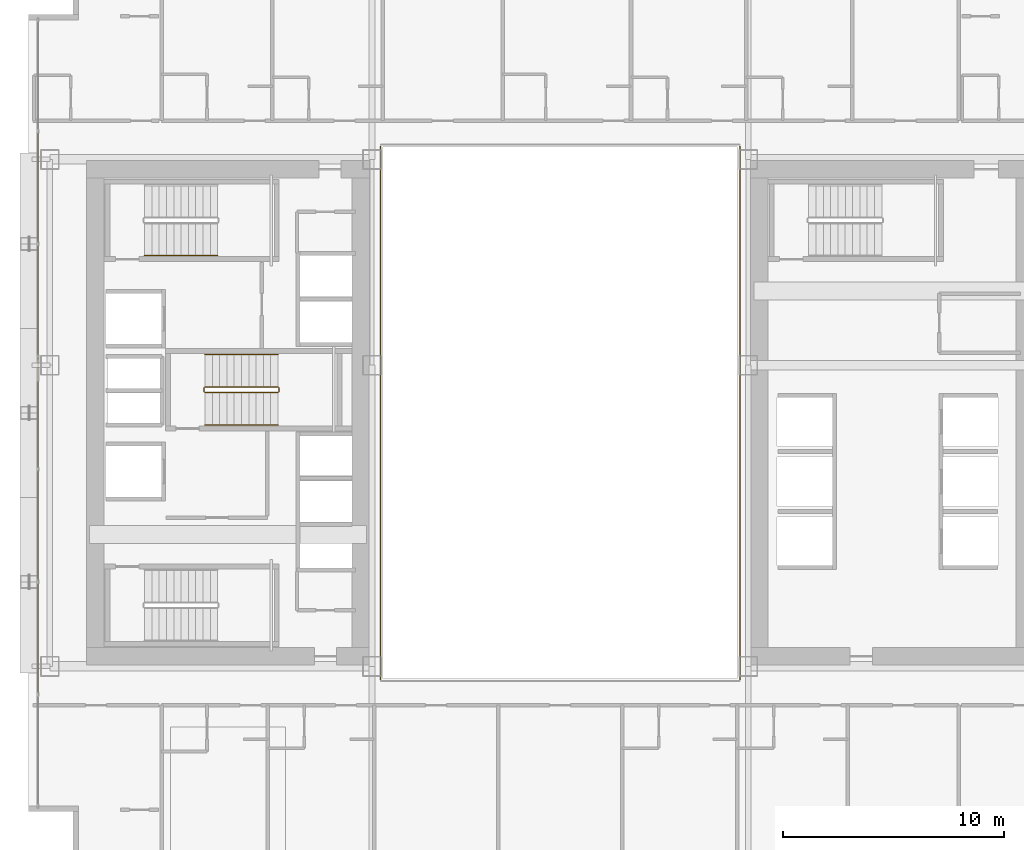
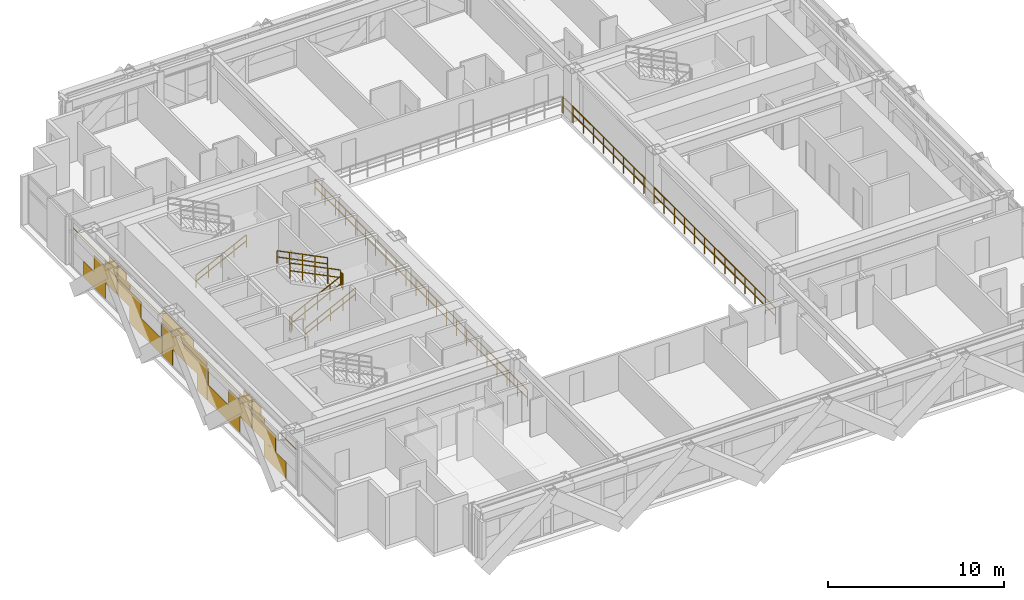
# One storey, part 33 of 35: 9 railings, 1 covering.
"""IFC4 building model written with IfcOpenShell, lengths in metres."""

from ifc_helpers import new_model, si_unit, direction, frame, origin, origin_2d, place, context, subcontext, project, spatial, rectangle, extrude, material, layer, layer_set, type_object, element, save


model = new_model("IFC4")

# Units and contexts
model_context = context("Model", 3, precision=1e-05, world=origin(), true_north=direction((0.0, 1.0)))
body_context = subcontext(model_context, "Body", "Model", "MODEL_VIEW")
ifc_project = project(units=[si_unit("LENGTHUNIT", "METRE"), si_unit("AREAUNIT", "SQUARE_METRE"), si_unit("VOLUMEUNIT", "CUBIC_METRE"), si_unit("PLANEANGLEUNIT", "RADIAN"), si_unit("MASSUNIT", "GRAM", prefix="KILO")], contexts=[model_context])

# Site, building, storey
site_placement = place(None, origin())
site = spatial("IfcSite", under=ifc_project, at=site_placement, CompositionType="ELEMENT")
building_placement = place(site_placement, origin())
building = spatial("IfcBuilding", under=site, at=building_placement, Name="Ocotamira Hotel", CompositionType="ELEMENT")
storey_placement = place(building_placement, frame((0.0, 0.0, 70.800048828125)))
storey = spatial("IfcBuildingStorey", under=building, at=storey_placement, Name="L17", CompositionType="ELEMENT", Elevation=70.800048828125)

# Covering
ifc_material_1 = material(Name="Insulated pale-metal aluminium spandrel panel", Category="aluminium")
ifc_layer = layer(ifc_material_1, 0.044921875)
ifc_layer_set = layer_set([ifc_layer], Name="Insulated pale-metal aluminium spandrel panel")
covering_type = type_object("IfcCoveringType", Name="COV-INFILL-45", PredefinedType="CLADDING", material=ifc_layer_set)
covering_placement = place(storey_placement, origin())
element("IfcCovering", 1, at=covering_placement, inside=storey, type_object=covering_type, Name="L17 Curtain Wall Infill CW-2 CW-L17-W", PredefinedType="CLADDING", context=body_context, shape_type="SweptSolid", body=[
    extrude(rectangle(XDim=2.49658203125, YDim=0.044921875, at=origin_2d()), frame((8.419921875, 15.752685546875, 0.0751953125), z_axis=(0.0, 0.0, 1.0), x_axis=(0.0, 1.0, 0.0)), (0.0, 0.0, 1.0), 1.117919921875),
    extrude(rectangle(XDim=2.640625, YDim=0.044921875, at=origin_2d()), frame((8.419921875, 17.010498046875, 1.194091796875), z_axis=(0.0, 0.0, 1.0), x_axis=(0.0, 1.0, 0.0)), (0.0, 0.0, 1.0), 1.11767578125),
    extrude(rectangle(XDim=5.004638671875, YDim=0.044921875, at=origin_2d()), frame((8.419921875, 15.82861328125, 2.755859375), z_axis=(0.0, 0.0, 1.0), x_axis=(0.0, 1.0, 0.0)), (0.0, 0.0, 1.0), 0.033203125),
    extrude(rectangle(XDim=1.375, YDim=0.044921875, at=origin_2d()), frame((8.419921875, 17.643310546875, 2.38818359375), z_axis=(0.0, 0.0, 1.0), x_axis=(0.0, 1.0, 0.0)), (0.0, 0.0, 1.0), 0.366943359375),
    extrude(rectangle(XDim=0.948486328125, YDim=0.044921875, at=origin_2d()), frame((8.419921875, 17.856689453125, 2.79052734375), z_axis=(0.0, 0.0, 1.0), x_axis=(0.0, 1.0, 0.0)), (0.0, 0.0, 1.0), 0.484130859375),
    extrude(rectangle(XDim=2.631103515625, YDim=0.044921875, at=origin_2d()), frame((8.419921875, 19.727294921875, 1.194091796875), z_axis=(0.0, 0.0, 1.0), x_axis=(0.0, 1.0, 0.0)), (0.0, 0.0, 1.0), 1.11767578125),
    extrude(rectangle(XDim=3.684326171875, YDim=0.044921875, at=origin_2d()), frame((8.419921875, 21.574462890625, 0.0751953125), z_axis=(0.0, 0.0, 1.0), x_axis=(0.0, 1.0, 0.0)), (0.0, 0.0, 1.0), 1.117919921875),
    extrude(rectangle(XDim=0.093017578125, YDim=0.044921875, at=origin_2d()), frame((8.419921875, 23.3701171875, 1.194091796875), z_axis=(0.0, 0.0, 1.0), x_axis=(0.0, 1.0, 0.0)), (0.0, 0.0, 1.0), 1.11767578125),
    extrude(rectangle(XDim=1.365478515625, YDim=0.044921875, at=origin_2d()), frame((8.419921875, 19.094482421875, 2.38818359375), z_axis=(0.0, 0.0, 1.0), x_axis=(0.0, 1.0, 0.0)), (0.0, 0.0, 1.0), 0.366943359375),
    extrude(rectangle(XDim=5.004638671875, YDim=0.044921875, at=origin_2d()), frame((8.419921875, 20.914306640625, 2.755859375), z_axis=(0.0, 0.0, 1.0), x_axis=(0.0, 1.0, 0.0)), (0.0, 0.0, 1.0), 0.033203125),
    extrude(rectangle(XDim=0.93896484375, YDim=0.044921875, at=origin_2d()), frame((8.419921875, 18.88134765625, 2.79052734375), z_axis=(0.0, 0.0, 1.0), x_axis=(0.0, 1.0, 0.0)), (0.0, 0.0, 1.0), 0.484130859375),
    extrude(rectangle(XDim=1.13671875, YDim=0.044921875, at=origin_2d()), frame((8.419921875, 24.06591796875, 0.0751953125), z_axis=(0.0, 0.0, 1.0), x_axis=(0.0, 1.0, 0.0)), (0.0, 0.0, 1.0), 1.117919921875),
    extrude(rectangle(XDim=5.004638671875, YDim=0.044921875, at=origin_2d()), frame((8.419921875, 26.0, 1.194091796875), z_axis=(0.0, 0.0, 1.0), x_axis=(0.0, 1.0, 0.0)), (0.0, 0.0, 1.0), 1.11767578125),
    extrude(rectangle(XDim=1.13671875, YDim=0.044921875, at=origin_2d()), frame((8.419921875, 27.93408203125, 0.0751953125), z_axis=(0.0, 0.0, 1.0), x_axis=(0.0, 1.0, 0.0)), (0.0, 0.0, 1.0), 1.117919921875),
    extrude(rectangle(XDim=5.004638671875, YDim=0.044921875, at=origin_2d()), frame((8.419921875, 26.0, 2.387939453125), z_axis=(0.0, 0.0, 1.0), x_axis=(0.0, 1.0, 0.0)), (0.0, 0.0, 1.0), 0.4013671875),
    extrude(rectangle(XDim=3.486572265625, YDim=0.044921875, at=origin_2d()), frame((8.419921875, 26.759033203125, 2.79052734375), z_axis=(0.0, 0.0, 1.0), x_axis=(0.0, 1.0, 0.0)), (0.0, 0.0, 1.0), 0.484130859375),
    extrude(rectangle(XDim=3.684326171875, YDim=0.044921875, at=origin_2d()), frame((8.419921875, 30.425537109375, 0.0751953125), z_axis=(0.0, 0.0, 1.0), x_axis=(0.0, 1.0, 0.0)), (0.0, 0.0, 1.0), 1.117919921875),
    extrude(rectangle(XDim=0.093017578125, YDim=0.044921875, at=origin_2d()), frame((8.419921875, 28.6298828125, 1.194091796875), z_axis=(0.0, 0.0, 1.0), x_axis=(0.0, 1.0, 0.0)), (0.0, 0.0, 1.0), 1.11767578125),
    extrude(rectangle(XDim=2.631103515625, YDim=0.044921875, at=origin_2d()), frame((8.419921875, 32.272705078125, 1.194091796875), z_axis=(0.0, 0.0, 1.0), x_axis=(0.0, 1.0, 0.0)), (0.0, 0.0, 1.0), 1.11767578125),
    extrude(rectangle(XDim=5.004638671875, YDim=0.044921875, at=origin_2d()), frame((8.419921875, 31.085693359375, 2.755859375), z_axis=(0.0, 0.0, 1.0), x_axis=(0.0, 1.0, 0.0)), (0.0, 0.0, 1.0), 0.033203125),
    extrude(rectangle(XDim=1.365478515625, YDim=0.044921875, at=origin_2d()), frame((8.419921875, 32.905517578125, 2.38818359375), z_axis=(0.0, 0.0, 1.0), x_axis=(0.0, 1.0, 0.0)), (0.0, 0.0, 1.0), 0.366943359375),
    extrude(rectangle(XDim=0.93896484375, YDim=0.044921875, at=origin_2d()), frame((8.419921875, 33.11865234375, 2.79052734375), z_axis=(0.0, 0.0, 1.0), x_axis=(0.0, 1.0, 0.0)), (0.0, 0.0, 1.0), 0.484130859375),
    extrude(rectangle(XDim=2.640625, YDim=0.044921875, at=origin_2d()), frame((8.419921875, 34.989501953125, 1.194091796875), z_axis=(0.0, 0.0, 1.0), x_axis=(0.0, 1.0, 0.0)), (0.0, 0.0, 1.0), 1.11767578125),
    extrude(rectangle(XDim=2.49658203125, YDim=0.044921875, at=origin_2d()), frame((8.419921875, 36.247314453125, 0.0751953125), z_axis=(0.0, 0.0, 1.0), x_axis=(0.0, 1.0, 0.0)), (0.0, 0.0, 1.0), 1.117919921875),
    extrude(rectangle(XDim=1.375, YDim=0.044921875, at=origin_2d()), frame((8.419921875, 34.356689453125, 2.38818359375), z_axis=(0.0, 0.0, 1.0), x_axis=(0.0, 1.0, 0.0)), (0.0, 0.0, 1.0), 0.366943359375),
    extrude(rectangle(XDim=5.004638671875, YDim=0.044921875, at=origin_2d()), frame((8.419921875, 36.17138671875, 2.755859375), z_axis=(0.0, 0.0, 1.0), x_axis=(0.0, 1.0, 0.0)), (0.0, 0.0, 1.0), 0.033203125),
    extrude(rectangle(XDim=0.948486328125, YDim=0.044921875, at=origin_2d()), frame((8.419921875, 34.143310546875, 2.79052734375), z_axis=(0.0, 0.0, 1.0), x_axis=(0.0, 1.0, 0.0)), (0.0, 0.0, 1.0), 0.484130859375),
])

# Railings
ifc_material_2 = material(Name="Painted steel stair guardrail", Category="steel")
railing_type_1 = type_object("IfcRailingType", Name="RL-EDGE-1150", PredefinedType="GUARDRAIL", material=ifc_material_2)
railing_1_placement = place(storey_placement, frame((40.1201171875, 13.9599609375, 0.0)))
element("IfcRailing", 2, at=railing_1_placement, inside=storey, type_object=railing_type_1, Name="L17 Central Atrium Edge Guardrail E", PredefinedType="GUARDRAIL", context=body_context, shape_type="SweptSolid", body=[
    extrude(rectangle(XDim=0.048095703125, YDim=0.048095703125, at=origin_2d()), frame((0.0, 0.0, 1.1259765625), z_axis=(0.0, 1.0, 0.0), x_axis=(-1.0, 0.0, 0.0)), (0.0, 0.0, 1.0), 24.080078125),
    extrude(rectangle(XDim=0.048095703125, YDim=0.048095703125, at=origin_2d()), frame((0.0, 0.0, 0.574951171875), z_axis=(0.0, 1.0, 0.0), x_axis=(-1.0, 0.0, 0.0)), (0.0, 0.0, 1.0), 24.080078125),
    extrude(rectangle(XDim=0.0419921875, YDim=0.0419921875, at=origin_2d()), origin(), (0.0, 0.0, 1.0), 1.101806640625),
    extrude(rectangle(XDim=0.0419921875, YDim=0.0419921875, at=origin_2d()), frame((0.0, 1.146728515625, 0.0)), (0.0, 0.0, 1.0), 1.101806640625),
    extrude(rectangle(XDim=0.0419921875, YDim=0.0419921875, at=origin_2d()), frame((0.0, 2.29345703125, 0.0)), (0.0, 0.0, 1.0), 1.101806640625),
    extrude(rectangle(XDim=0.0419921875, YDim=0.0419921875, at=origin_2d()), frame((0.0, 3.43994140625, 0.0)), (0.0, 0.0, 1.0), 1.101806640625),
    extrude(rectangle(XDim=0.0419921875, YDim=0.0419921875, at=origin_2d()), frame((0.0, 4.586669921875, 0.0)), (0.0, 0.0, 1.0), 1.101806640625),
    extrude(rectangle(XDim=0.0419921875, YDim=0.0419921875, at=origin_2d()), frame((0.0, 5.7333984375, 0.0)), (0.0, 0.0, 1.0), 1.101806640625),
    extrude(rectangle(XDim=0.0419921875, YDim=0.0419921875, at=origin_2d()), frame((0.0, 6.880126953125, 0.0)), (0.0, 0.0, 1.0), 1.101806640625),
    extrude(rectangle(XDim=0.0419921875, YDim=0.0419921875, at=origin_2d()), frame((0.0, 8.026611328125, 0.0)), (0.0, 0.0, 1.0), 1.101806640625),
    extrude(rectangle(XDim=0.0419921875, YDim=0.0419921875, at=origin_2d()), frame((0.0, 9.17333984375, 0.0)), (0.0, 0.0, 1.0), 1.101806640625),
    extrude(rectangle(XDim=0.0419921875, YDim=0.0419921875, at=origin_2d()), frame((0.0, 10.320068359375, 0.0)), (0.0, 0.0, 1.0), 1.101806640625),
    extrude(rectangle(XDim=0.0419921875, YDim=0.0419921875, at=origin_2d()), frame((0.0, 11.466796875, 0.0)), (0.0, 0.0, 1.0), 1.101806640625),
    extrude(rectangle(XDim=0.0419921875, YDim=0.0419921875, at=origin_2d()), frame((0.0, 12.61328125, 0.0)), (0.0, 0.0, 1.0), 1.101806640625),
    extrude(rectangle(XDim=0.0419921875, YDim=0.0419921875, at=origin_2d()), frame((0.0, 13.760009765625, 0.0)), (0.0, 0.0, 1.0), 1.101806640625),
    extrude(rectangle(XDim=0.0419921875, YDim=0.0419921875, at=origin_2d()), frame((0.0, 14.90673828125, 0.0)), (0.0, 0.0, 1.0), 1.101806640625),
    extrude(rectangle(XDim=0.0419921875, YDim=0.0419921875, at=origin_2d()), frame((0.0, 16.053466796875, 0.0)), (0.0, 0.0, 1.0), 1.101806640625),
    extrude(rectangle(XDim=0.0419921875, YDim=0.0419921875, at=origin_2d()), frame((0.0, 17.199951171875, 0.0)), (0.0, 0.0, 1.0), 1.101806640625),
    extrude(rectangle(XDim=0.0419921875, YDim=0.0419921875, at=origin_2d()), frame((0.0, 18.3466796875, 0.0)), (0.0, 0.0, 1.0), 1.101806640625),
    extrude(rectangle(XDim=0.0419921875, YDim=0.0419921875, at=origin_2d()), frame((0.0, 19.493408203125, 0.0)), (0.0, 0.0, 1.0), 1.101806640625),
    extrude(rectangle(XDim=0.0419921875, YDim=0.0419921875, at=origin_2d()), frame((0.0, 20.64013671875, 0.0)), (0.0, 0.0, 1.0), 1.101806640625),
    extrude(rectangle(XDim=0.0419921875, YDim=0.0419921875, at=origin_2d()), frame((0.0, 21.78662109375, 0.0)), (0.0, 0.0, 1.0), 1.101806640625),
    extrude(rectangle(XDim=0.0419921875, YDim=0.0419921875, at=origin_2d()), frame((0.0, 22.933349609375, 0.0)), (0.0, 0.0, 1.0), 1.101806640625),
    extrude(rectangle(XDim=0.0419921875, YDim=0.0419921875, at=origin_2d()), frame((0.0, 24.080078125, 0.0)), (0.0, 0.0, 1.0), 1.101806640625),
])
railing_2_placement = place(storey_placement, frame((23.8798828125, 38.0400390625, 0.0)))
element("IfcRailing", 3, at=railing_2_placement, inside=storey, type_object=railing_type_1, Name="L17 Central Atrium Edge Guardrail W", PredefinedType="GUARDRAIL", context=body_context, shape_type="SweptSolid", body=[
    extrude(rectangle(XDim=0.048095703125, YDim=0.048095703125, at=origin_2d()), frame((0.0, 0.0, 1.1259765625), z_axis=(0.0, -1.0, 0.0), x_axis=(1.0, 0.0, 0.0)), (0.0, 0.0, 1.0), 24.080078125),
    extrude(rectangle(XDim=0.048095703125, YDim=0.048095703125, at=origin_2d()), frame((0.0, 0.0, 0.574951171875), z_axis=(0.0, -1.0, 0.0), x_axis=(1.0, 0.0, 0.0)), (0.0, 0.0, 1.0), 24.080078125),
    extrude(rectangle(XDim=0.0419921875, YDim=0.0419921875, at=origin_2d()), origin(), (0.0, 0.0, 1.0), 1.101806640625),
    extrude(rectangle(XDim=0.0419921875, YDim=0.0419921875, at=origin_2d()), frame((0.0, -1.146728515625, 0.0)), (0.0, 0.0, 1.0), 1.101806640625),
    extrude(rectangle(XDim=0.0419921875, YDim=0.0419921875, at=origin_2d()), frame((0.0, -2.29345703125, 0.0)), (0.0, 0.0, 1.0), 1.101806640625),
    extrude(rectangle(XDim=0.0419921875, YDim=0.0419921875, at=origin_2d()), frame((0.0, -3.43994140625, 0.0)), (0.0, 0.0, 1.0), 1.101806640625),
    extrude(rectangle(XDim=0.0419921875, YDim=0.0419921875, at=origin_2d()), frame((0.0, -4.586669921875, 0.0)), (0.0, 0.0, 1.0), 1.101806640625),
    extrude(rectangle(XDim=0.0419921875, YDim=0.0419921875, at=origin_2d()), frame((0.0, -5.7333984375, 0.0)), (0.0, 0.0, 1.0), 1.101806640625),
    extrude(rectangle(XDim=0.0419921875, YDim=0.0419921875, at=origin_2d()), frame((0.0, -6.880126953125, 0.0)), (0.0, 0.0, 1.0), 1.101806640625),
    extrude(rectangle(XDim=0.0419921875, YDim=0.0419921875, at=origin_2d()), frame((0.0, -8.026611328125, 0.0)), (0.0, 0.0, 1.0), 1.101806640625),
    extrude(rectangle(XDim=0.0419921875, YDim=0.0419921875, at=origin_2d()), frame((0.0, -9.17333984375, 0.0)), (0.0, 0.0, 1.0), 1.101806640625),
    extrude(rectangle(XDim=0.0419921875, YDim=0.0419921875, at=origin_2d()), frame((0.0, -10.320068359375, 0.0)), (0.0, 0.0, 1.0), 1.101806640625),
    extrude(rectangle(XDim=0.0419921875, YDim=0.0419921875, at=origin_2d()), frame((0.0, -11.466796875, 0.0)), (0.0, 0.0, 1.0), 1.101806640625),
    extrude(rectangle(XDim=0.0419921875, YDim=0.0419921875, at=origin_2d()), frame((0.0, -12.61328125, 0.0)), (0.0, 0.0, 1.0), 1.101806640625),
    extrude(rectangle(XDim=0.0419921875, YDim=0.0419921875, at=origin_2d()), frame((0.0, -13.760009765625, 0.0)), (0.0, 0.0, 1.0), 1.101806640625),
    extrude(rectangle(XDim=0.0419921875, YDim=0.0419921875, at=origin_2d()), frame((0.0, -14.90673828125, 0.0)), (0.0, 0.0, 1.0), 1.101806640625),
    extrude(rectangle(XDim=0.0419921875, YDim=0.0419921875, at=origin_2d()), frame((0.0, -16.053466796875, 0.0)), (0.0, 0.0, 1.0), 1.101806640625),
    extrude(rectangle(XDim=0.0419921875, YDim=0.0419921875, at=origin_2d()), frame((0.0, -17.199951171875, 0.0)), (0.0, 0.0, 1.0), 1.101806640625),
    extrude(rectangle(XDim=0.0419921875, YDim=0.0419921875, at=origin_2d()), frame((0.0, -18.3466796875, 0.0)), (0.0, 0.0, 1.0), 1.101806640625),
    extrude(rectangle(XDim=0.0419921875, YDim=0.0419921875, at=origin_2d()), frame((0.0, -19.493408203125, 0.0)), (0.0, 0.0, 1.0), 1.101806640625),
    extrude(rectangle(XDim=0.0419921875, YDim=0.0419921875, at=origin_2d()), frame((0.0, -20.64013671875, 0.0)), (0.0, 0.0, 1.0), 1.101806640625),
    extrude(rectangle(XDim=0.0419921875, YDim=0.0419921875, at=origin_2d()), frame((0.0, -21.78662109375, 0.0)), (0.0, 0.0, 1.0), 1.101806640625),
    extrude(rectangle(XDim=0.0419921875, YDim=0.0419921875, at=origin_2d()), frame((0.0, -22.933349609375, 0.0)), (0.0, 0.0, 1.0), 1.101806640625),
    extrude(rectangle(XDim=0.0419921875, YDim=0.0419921875, at=origin_2d()), frame((0.0, -24.080078125, 0.0)), (0.0, 0.0, 1.0), 1.101806640625),
])
ifc_material_3 = material(Name="Brushed stainless steel handrail", Category="steel")
railing_type_2 = type_object("IfcRailingType", Name="RL-HAND-900", PredefinedType="HANDRAIL", material=ifc_material_3)
for number, where, name in (
    (4, (13.22998046875, 33.10009765625, 0.3271484375), "L17 ST-2 stair handrail 1"),
    (5, (15.9599609375, 25.449951171875, 0.3271484375), "L17 ST-3 stair handrail 1"),
):
    element("IfcRailing", number, at=place(storey_placement, frame(where)), inside=storey, type_object=railing_type_2, Name=name, PredefinedType="HANDRAIL", context=body_context, shape_type="SweptSolid", body=[
        extrude(rectangle(XDim=0.048095703125, YDim=0.048095703125, at=origin_2d()), frame((0.0, 0.0, 0.8759765625), z_axis=(0.895893744519, 0.0, 0.4442683857), x_axis=(0.0, 1.0, 0.0)), (0.0, 0.0, 1.0), 3.68359375),
        extrude(rectangle(XDim=0.048095703125, YDim=0.048095703125, at=origin_2d()), frame((0.0, 0.0, 0.449951171875), z_axis=(0.895893744519, 0.0, 0.4442683857), x_axis=(0.0, 1.0, 0.0)), (0.0, 0.0, 1.0), 3.68359375),
        extrude(rectangle(XDim=0.0419921875, YDim=0.0419921875, at=origin_2d()), origin(), (0.0, 0.0, 1.0), 0.851806640625),
        extrude(rectangle(XDim=0.0419921875, YDim=0.0419921875, at=origin_2d()), frame((0.824951171875, 0.0, 0.4091796875)), (0.0, 0.0, 1.0), 0.851806640625),
        extrude(rectangle(XDim=0.0419921875, YDim=0.0419921875, at=origin_2d()), frame((1.64990234375, 0.0, 0.818359375)), (0.0, 0.0, 1.0), 0.851806640625),
        extrude(rectangle(XDim=0.0419921875, YDim=0.0419921875, at=origin_2d()), frame((2.47509765625, 0.0, 1.227294921875)), (0.0, 0.0, 1.0), 0.851806640625),
        extrude(rectangle(XDim=0.0419921875, YDim=0.0419921875, at=origin_2d()), frame((3.300048828125, 0.0, 1.636474609375)), (0.0, 0.0, 1.0), 0.851806640625),
    ])
railing_3_placement = place(storey_placement, frame((19.260009765625, 28.6298828125, 2.127197265625)))
element("IfcRailing", 6, at=railing_3_placement, inside=storey, type_object=railing_type_2, Name="L17 ST-3 stair handrail 2", PredefinedType="HANDRAIL", context=body_context, shape_type="SweptSolid", body=[
    extrude(rectangle(XDim=0.048095703125, YDim=0.048095703125, at=origin_2d()), frame((0.0, 0.0, 0.8759765625), z_axis=(-0.895893744519, 0.0, 0.4442683857), x_axis=(0.0, -1.0, 0.0)), (0.0, 0.0, 1.0), 3.68359375),
    extrude(rectangle(XDim=0.048095703125, YDim=0.048095703125, at=origin_2d()), frame((0.0, 0.0, 0.449951171875), z_axis=(-0.895893744519, 0.0, 0.4442683857), x_axis=(0.0, -1.0, 0.0)), (0.0, 0.0, 1.0), 3.68359375),
    extrude(rectangle(XDim=0.0419921875, YDim=0.0419921875, at=origin_2d()), origin(), (0.0, 0.0, 1.0), 0.851806640625),
    extrude(rectangle(XDim=0.0419921875, YDim=0.0419921875, at=origin_2d()), frame((-0.824951171875, 0.0, 0.4091796875)), (0.0, 0.0, 1.0), 0.851806640625),
    extrude(rectangle(XDim=0.0419921875, YDim=0.0419921875, at=origin_2d()), frame((-1.64990234375, 0.0, 0.818359375)), (0.0, 0.0, 1.0), 0.851806640625),
    extrude(rectangle(XDim=0.0419921875, YDim=0.0419921875, at=origin_2d()), frame((-2.47509765625, 0.0, 1.227294921875)), (0.0, 0.0, 1.0), 0.851806640625),
    extrude(rectangle(XDim=0.0419921875, YDim=0.0419921875, at=origin_2d()), frame((-3.300048828125, 0.0, 1.636474609375)), (0.0, 0.0, 1.0), 0.851806640625),
])
railing_type_3 = type_object("IfcRailingType", Name="RL-STAIR-1100", PredefinedType="GUARDRAIL", material=ifc_material_2)
railing_4_placement = place(storey_placement, frame((15.9599609375, 26.909912109375, 0.16357421875)))
element("IfcRailing", 7, at=railing_4_placement, inside=storey, type_object=railing_type_3, Name="L17 ST-3 stair guard 1", PredefinedType="GUARDRAIL", context=body_context, shape_type="SweptSolid", body=[
    extrude(rectangle(XDim=0.048095703125, YDim=0.048095703125, at=origin_2d()), frame((0.0, 0.0, 1.076171875), z_axis=(0.895893744519, 0.0, 0.4442683857), x_axis=(0.0, 1.0, 0.0)), (0.0, 0.0, 1.0), 3.68359375),
    extrude(rectangle(XDim=0.048095703125, YDim=0.048095703125, at=origin_2d()), frame((0.0, 0.0, 0.550048828125), z_axis=(0.895893744519, 0.0, 0.4442683857), x_axis=(0.0, 1.0, 0.0)), (0.0, 0.0, 1.0), 3.68359375),
    extrude(rectangle(XDim=0.0419921875, YDim=0.0419921875, at=origin_2d()), origin(), (0.0, 0.0, 1.0), 1.052001953125),
    extrude(rectangle(XDim=0.0419921875, YDim=0.0419921875, at=origin_2d()), frame((0.824951171875, 0.0, 0.4091796875)), (0.0, 0.0, 1.0), 1.052001953125),
    extrude(rectangle(XDim=0.0419921875, YDim=0.0419921875, at=origin_2d()), frame((1.64990234375, 0.0, 0.818359375)), (0.0, 0.0, 1.0), 1.052001953125),
    extrude(rectangle(XDim=0.0419921875, YDim=0.0419921875, at=origin_2d()), frame((2.47509765625, 0.0, 1.227294921875)), (0.0, 0.0, 1.0), 1.052001953125),
    extrude(rectangle(XDim=0.0419921875, YDim=0.0419921875, at=origin_2d()), frame((3.300048828125, 0.0, 1.636474609375)), (0.0, 0.0, 1.0), 1.052001953125),
])
railing_5_placement = place(storey_placement, frame((19.31005859375, 26.9599609375, 1.800048828125)))
element("IfcRailing", 8, at=railing_5_placement, inside=storey, type_object=railing_type_3, Name="L17 ST-3 stair guard 2", PredefinedType="GUARDRAIL", context=body_context, shape_type="SweptSolid", body=[
    extrude(rectangle(XDim=0.048095703125, YDim=0.048095703125, at=origin_2d()), frame((0.0, 0.0, 1.076171875), z_axis=(0.0, 1.0, 0.0), x_axis=(-1.0, 0.0, 0.0)), (0.0, 0.0, 1.0), 0.16015625),
    extrude(rectangle(XDim=0.048095703125, YDim=0.048095703125, at=origin_2d()), frame((0.0, 0.0, 0.550048828125), z_axis=(0.0, 1.0, 0.0), x_axis=(-1.0, 0.0, 0.0)), (0.0, 0.0, 1.0), 0.16015625),
    extrude(rectangle(XDim=0.0419921875, YDim=0.0419921875, at=origin_2d()), origin(), (0.0, 0.0, 1.0), 1.052001953125),
    extrude(rectangle(XDim=0.0419921875, YDim=0.0419921875, at=origin_2d()), frame((0.0, 0.16015625, 0.0)), (0.0, 0.0, 1.0), 1.052001953125),
])
railing_6_placement = place(storey_placement, frame((19.260009765625, 27.169921875, 1.963623046875)))
element("IfcRailing", 9, at=railing_6_placement, inside=storey, type_object=railing_type_3, Name="L17 ST-3 stair guard 3", PredefinedType="GUARDRAIL", context=body_context, shape_type="SweptSolid", body=[
    extrude(rectangle(XDim=0.048095703125, YDim=0.048095703125, at=origin_2d()), frame((0.0, 0.0, 1.076171875), z_axis=(-0.895920123917, 0.0, 0.444215186098), x_axis=(0.0, -1.0, 0.0)), (0.0, 0.0, 1.0), 3.683349609375),
    extrude(rectangle(XDim=0.048095703125, YDim=0.048095703125, at=origin_2d()), frame((0.0, 0.0, 0.550048828125), z_axis=(-0.895920123917, 0.0, 0.444215186098), x_axis=(0.0, -1.0, 0.0)), (0.0, 0.0, 1.0), 3.683349609375),
    extrude(rectangle(XDim=0.0419921875, YDim=0.0419921875, at=origin_2d()), origin(), (0.0, 0.0, 1.0), 1.052001953125),
    extrude(rectangle(XDim=0.0419921875, YDim=0.0419921875, at=origin_2d()), frame((-0.824951171875, 0.0, 0.4091796875)), (0.0, 0.0, 1.0), 1.052001953125),
    extrude(rectangle(XDim=0.0419921875, YDim=0.0419921875, at=origin_2d()), frame((-1.64990234375, 0.0, 0.818115234375)), (0.0, 0.0, 1.0), 1.052001953125),
    extrude(rectangle(XDim=0.0419921875, YDim=0.0419921875, at=origin_2d()), frame((-2.47509765625, 0.0, 1.22705078125)), (0.0, 0.0, 1.0), 1.052001953125),
    extrude(rectangle(XDim=0.0419921875, YDim=0.0419921875, at=origin_2d()), frame((-3.300048828125, 0.0, 1.63623046875)), (0.0, 0.0, 1.0), 1.052001953125),
])
railing_7_placement = place(storey_placement, frame((15.909912109375, 26.9599609375, 0.0)))
element("IfcRailing", 10, at=railing_7_placement, inside=storey, type_object=railing_type_3, Name="L17 ST-3 stair guard 4", PredefinedType="GUARDRAIL", context=body_context, shape_type="SweptSolid", body=[
    extrude(rectangle(XDim=0.048095703125, YDim=0.048095703125, at=origin_2d()), frame((0.0, 0.0, 1.076171875), z_axis=(0.0, 1.0, 0.0), x_axis=(-1.0, 0.0, 0.0)), (0.0, 0.0, 1.0), 0.16015625),
    extrude(rectangle(XDim=0.048095703125, YDim=0.048095703125, at=origin_2d()), frame((0.0, 0.0, 0.550048828125), z_axis=(0.0, 1.0, 0.0), x_axis=(-1.0, 0.0, 0.0)), (0.0, 0.0, 1.0), 0.16015625),
    extrude(rectangle(XDim=0.0419921875, YDim=0.0419921875, at=origin_2d()), origin(), (0.0, 0.0, 1.0), 1.052001953125),
    extrude(rectangle(XDim=0.0419921875, YDim=0.0419921875, at=origin_2d()), frame((0.0, 0.16015625, 0.0)), (0.0, 0.0, 1.0), 1.052001953125),
])

save(model, "model.ifc")
